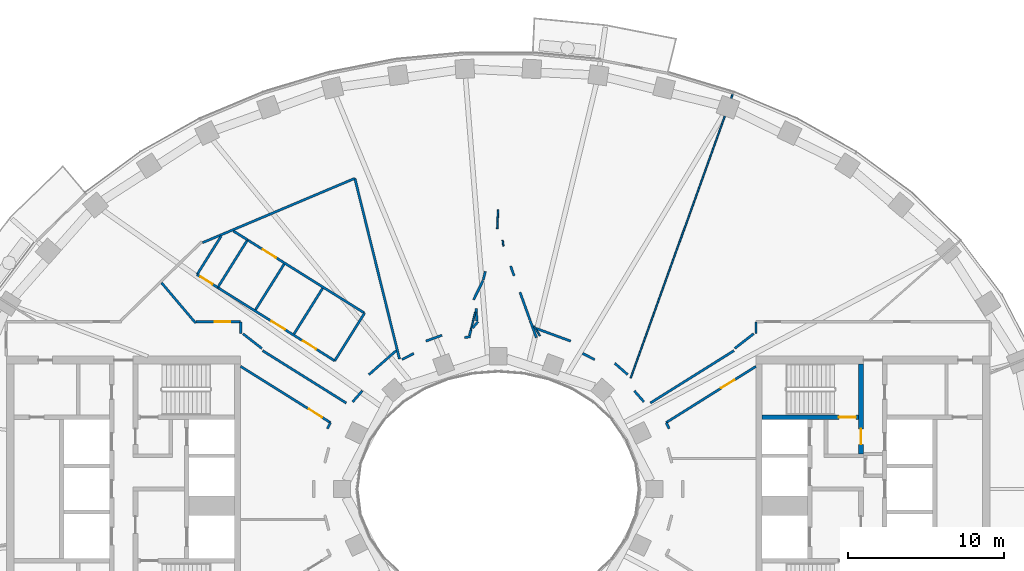
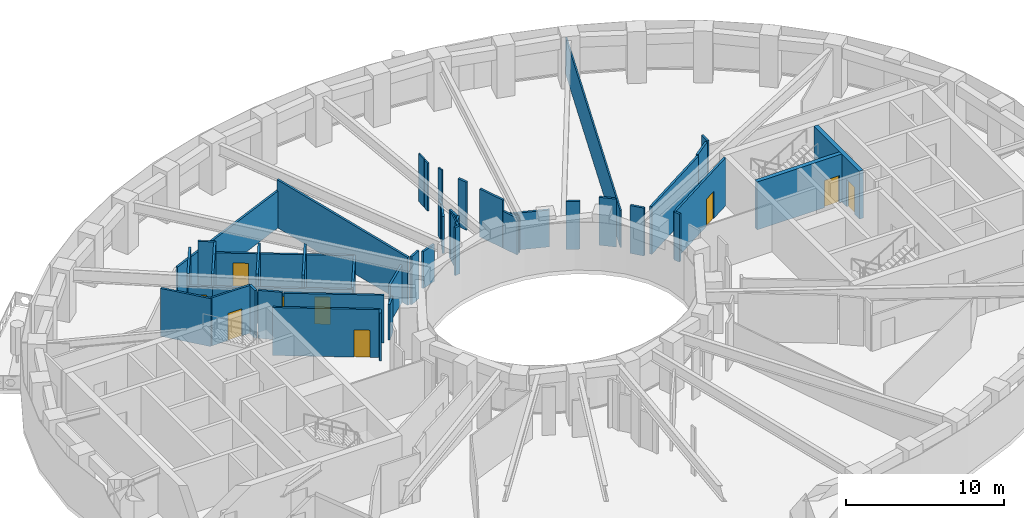
# One storey, part 6 of 16: 48 walls, 9 doors, 9 openings.
"""IFC4 building model written with IfcOpenShell, lengths in metres."""

import ifcopenshell
import ifcopenshell.guid

model = None  # the IFC model being written
_history = None  # IfcOwnerHistory: only IFC2X3 demands one
_inside = {}  # id of a spatial element -> (the spatial element, [elements in it])
_under = {}  # id of a project, library or spatial element -> (it, [spatial elements below it])
_declared = {}  # id of a project -> (the project, [libraries it declares])
_typed = {}  # id of a type object -> (the type object, [elements of that type])
_made_of = {}  # id of a material, layer set ... -> (it, [elements and type objects made of it])


def new_model(schema):
    """Start an empty IFC model of exactly this schema.

    Asked for "IFC4X3", IfcOpenShell would pick the latest addendum, in which some entities
    have other attributes; the version numbers below select the first issue.
    IFC2X3 requires an IfcOwnerHistory on every rooted entity: one is made here for all.
    """
    global model, _history
    if schema == "IFC4X3":
        model = ifcopenshell.file(schema_version=(4, 3, 0, 0))
    else:
        model = ifcopenshell.file(schema=schema)
    _inside.clear()
    _under.clear()
    _declared.clear()
    _typed.clear()
    _made_of.clear()
    _history = None
    if model.schema == "IFC2X3":
        org = make("IfcOrganization", Name="unknown")
        user = make(
            "IfcPersonAndOrganization",
            ThePerson=make("IfcPerson", FamilyName="unknown"),
            TheOrganization=org,
        )
        app = make(
            "IfcApplication",
            ApplicationDeveloper=org,
            Version="unknown",
            ApplicationFullName="unknown",
            ApplicationIdentifier="unknown",
        )
        _history = make(
            "IfcOwnerHistory",
            OwningUser=user,
            OwningApplication=app,
            ChangeAction="ADDED",
            CreationDate=0,
        )
    return model


def make(cls, **values):
    """One entity of the class cls with the attributes given. An attribute that is None is left unset."""
    return model.create_entity(
        cls, **{name: value for name, value in values.items() if value is not None}
    )


def rooted(cls, **values):
    """An entity with a GlobalId (a new one), such as an element, a storey or a relation."""
    return make(cls, GlobalId=ifcopenshell.guid.new(), OwnerHistory=_history, **values)


def si_unit(unit_type, name, prefix=None):
    """IfcSIUnit, for example si_unit("LENGTHUNIT", "METRE", prefix="MILLI")."""
    return make("IfcSIUnit", UnitType=unit_type, Prefix=prefix, Name=name)


def assignment(units):
    """IfcUnitAssignment: the units of a project."""
    return None if units is None else make("IfcUnitAssignment", Units=units)


def point(xyz):
    """IfcCartesianPoint."""
    return None if xyz is None else make("IfcCartesianPoint", Coordinates=xyz)


def direction(xyz):
    """IfcDirection."""
    return None if xyz is None else make("IfcDirection", DirectionRatios=xyz)


def frame(location, z_axis=None, x_axis=None):
    """IfcAxis2Placement3D, a coordinate frame: its origin and axes. An axis left out is left unset."""
    return make(
        "IfcAxis2Placement3D",
        Location=point(location),
        Axis=direction(z_axis),
        RefDirection=direction(x_axis),
    )


def frame_2d(location, x_axis=None):
    """IfcAxis2Placement2D, a coordinate frame in the plane: its origin and x axis."""
    return make(
        "IfcAxis2Placement2D", Location=point(location), RefDirection=direction(x_axis)
    )


def origin():
    """The frame at (0, 0, 0) with its axes left unset."""
    return frame((0.0, 0.0, 0.0))


def place(relative_to, where):
    """IfcLocalPlacement: puts the frame where relative to a parent placement (None: the world)."""
    return make(
        "IfcLocalPlacement", PlacementRelTo=relative_to, RelativePlacement=where
    )


def context(
    kind, dimensions, precision=None, world=None, true_north=None, identifier=None
):
    """IfcGeometricRepresentationContext, for example the 3D "Model" context."""
    return make(
        "IfcGeometricRepresentationContext",
        ContextIdentifier=identifier,
        ContextType=kind,
        CoordinateSpaceDimension=dimensions,
        Precision=precision,
        WorldCoordinateSystem=world,
        TrueNorth=true_north,
    )


def subcontext(parent, identifier, kind, view, scale=None):
    """IfcGeometricRepresentationSubContext, for example "Body" below "Model"."""
    return make(
        "IfcGeometricRepresentationSubContext",
        ContextIdentifier=identifier,
        ContextType=kind,
        ParentContext=parent,
        TargetScale=scale,
        TargetView=view,
    )


def project(units=None, contexts=None):
    """IfcProject with its units and contexts."""
    return rooted(
        "IfcProject",
        Name="project",
        RepresentationContexts=contexts,
        UnitsInContext=assignment(units),
    )


def spatial(cls, under=None, at=None, **own):
    """A site, building, storey or space (cls), placed at a placement, below another one or the project."""
    s = rooted(cls, ObjectPlacement=at, **own)
    if under is not None:
        _under.setdefault(under.id(), (under, []))[1].append(s)
    return s


def profile(cls, at=None, kind="AREA", **sizes):
    """A parametric profile (cls). Its sizes go by their IFC names, for example OverallWidth=200.0."""
    return make(cls, ProfileType=kind, Position=at, **sizes)


def rectangle(**sizes):
    """IfcRectangleProfileDef."""
    return profile("IfcRectangleProfileDef", **sizes)


def extrude(swept, where, along, depth):
    """IfcExtrudedAreaSolid: the profile swept, set in the frame where, extruded along a direction by depth."""
    return make(
        "IfcExtrudedAreaSolid",
        SweptArea=swept,
        Position=where,
        ExtrudedDirection=direction(along),
        Depth=depth,
    )


def shape(context_of_items, identifier, shape_type, items):
    """IfcShapeRepresentation: the items that make up one representation, for example the "Body"."""
    return make(
        "IfcShapeRepresentation",
        ContextOfItems=context_of_items,
        RepresentationIdentifier=identifier,
        RepresentationType=shape_type,
        Items=items,
    )


def material(Name=None, Category=None):
    """IfcMaterial."""
    return make("IfcMaterial", Name=Name, Category=Category)


def layer(
    of_material, thickness, ventilated=None, Name=None, Category=None, Priority=None
):
    """IfcMaterialLayer: one layer of a wall or slab, of a material (None: an air gap)."""
    return make(
        "IfcMaterialLayer",
        Material=of_material,
        LayerThickness=thickness,
        IsVentilated=ventilated,
        Name=Name,
        Category=Category,
        Priority=Priority,
    )


def layer_set(layers, Name=None):
    """IfcMaterialLayerSet."""
    return make("IfcMaterialLayerSet", MaterialLayers=layers, LayerSetName=Name)


def made_of(thing, what):
    """Note that an element or type object is made of a material, layer set ...; save() writes the relation."""
    if what is not None:
        _made_of.setdefault(what.id(), (what, []))[1].append(thing)
    return thing


def type_object(cls, material=None, **own):
    """A type object (cls), such as IfcWallType, which elements share."""
    return made_of(rooted(cls, **own), material)


def element(
    cls,
    number,
    at=None,
    inside=None,
    cuts=None,
    type_object=None,
    material=None,
    context=None,
    identifier="Body",
    shape_type=None,
    held_by="IfcProductDefinitionShape",
    body=None,
    shapes=None,
    **own,
):
    """One element of the class cls, such as IfcWall. Its Tag is "e" and its number.

    at: its placement. inside: the storey or other place that contains it. cuts: it is an
    opening in that element (IfcRelVoidsElement). A single representation is given by context,
    identifier, shape_type and body (its items); several are given by shapes. held_by: the class
    of the entity that holds the representations. save() writes the other relations.
    """
    e = rooted(cls, Tag="e%d" % number, ObjectPlacement=at, **own)
    if body is not None:
        shapes = [shape(context, identifier, shape_type, body)]
    if shapes is not None:
        e.Representation = make(held_by, Representations=shapes)
    if inside is not None:
        _inside.setdefault(inside.id(), (inside, []))[1].append(e)
    if cuts is not None:
        rooted(
            "IfcRelVoidsElement", RelatingBuildingElement=cuts, RelatedOpeningElement=e
        )
    if type_object is not None:
        _typed.setdefault(type_object.id(), (type_object, []))[1].append(e)
    return made_of(e, material)


def fill(opening, filler):
    """IfcRelFillsElement: the door or window that sits in an opening."""
    return rooted(
        "IfcRelFillsElement",
        RelatingOpeningElement=opening,
        RelatedBuildingElement=filler,
    )


def aggregate(whole, parts):
    """IfcRelAggregates: a whole, such as a stair, and the parts it consists of."""
    return rooted("IfcRelAggregates", RelatingObject=whole, RelatedObjects=parts)


def save(model, path):
    """Write the relations noted so far, then the file.

    IfcRelAggregates (storeys below a building ...), IfcRelContainedInSpatialStructure (elements
    in a storey), IfcRelDefinesByType, IfcRelAssociatesMaterial and IfcRelDeclares: one each for
    every whole, place, type object, material and project.
    """
    for whole, parts in _under.values():
        aggregate(whole, parts)
    for where, things in _inside.values():
        rooted(
            "IfcRelContainedInSpatialStructure",
            RelatedElements=things,
            RelatingStructure=where,
        )
    for kind, things in _typed.values():
        rooted("IfcRelDefinesByType", RelatedObjects=things, RelatingType=kind)
    for what, things in _made_of.values():
        rooted("IfcRelAssociatesMaterial", RelatedObjects=things, RelatingMaterial=what)
    for by, libraries in _declared.values():
        rooted("IfcRelDeclares", RelatingContext=by, RelatedDefinitions=libraries)
    model.write(path)


model = new_model("IFC4")

# Units and contexts
model_context = context("Model", 3, precision=1e-05, world=origin(), true_north=direction((0.0, 1.0)))
body_context = subcontext(model_context, "Body", "Model", "MODEL_VIEW")
ifc_project = project(units=[si_unit("LENGTHUNIT", "METRE"), si_unit("AREAUNIT", "SQUARE_METRE"), si_unit("VOLUMEUNIT", "CUBIC_METRE"), si_unit("PLANEANGLEUNIT", "RADIAN"), si_unit("MASSUNIT", "GRAM", prefix="KILO")], contexts=[model_context])

# Site, building, storey
site_placement = place(None, origin())
site = spatial("IfcSite", under=ifc_project, at=site_placement, CompositionType="ELEMENT")
building_placement = place(site_placement, origin())
building = spatial("IfcBuilding", under=site, at=building_placement, Name="Noorbagh Ring Tower", CompositionType="ELEMENT")
storey_placement = place(building_placement, frame((0.0, 0.0, 154.0)))
storey = spatial("IfcBuildingStorey", under=building, at=storey_placement, Name="L35", CompositionType="ELEMENT", Elevation=154.0)

# Wall, opening, door
ifc_material_1 = material(Name="Gypsum board on steel studs", Category="steel")
ifc_layer_1 = layer(ifc_material_1, 0.14990234375)
ifc_layer_set_1 = layer_set([ifc_layer_1], Name="Gypsum board on steel studs")
wall_type_1 = type_object("IfcWallType", Name="COMPARTMENT PARTITION 150 EI 60", PredefinedType="PARTITIONING", material=ifc_layer_set_1)
wall_1_placement = place(storey_placement, frame((-19.2890625, 13.72705078125, 0.0), z_axis=(0.0, 0.0, 1.0), x_axis=(0.847461540706, -0.530856795213, 0.0)))
wall_1 = element("IfcWall", 1, at=wall_1_placement, inside=storey, type_object=wall_type_1, Name="L35/wall/P15", PredefinedType="PARTITIONING", context=body_context, shape_type="SweptSolid", body=[
    extrude(rectangle(XDim=1.56005859375, YDim=0.14990234375, at=frame_2d((0.780029296875, 0.0))), origin(), (0.0, 0.0, 1.0), 2.75),
])
opening_1_placement = place(wall_1_placement, frame((0.260009765625, 0.0, 0.0)))
opening_1 = element("IfcOpeningElement", 2, at=opening_1_placement, cuts=wall_1, Name="Opening D4", PredefinedType="OPENING", context=body_context, shape_type="SweptSolid", body=[
    extrude(rectangle(XDim=0.89990234375, YDim=2.10009765625, at=frame_2d((0.449951171875, 1.050048828125))), frame((0.0, 0.0849609375, 0.0), z_axis=(0.0, -1.0, 0.0), x_axis=(1.0, 0.0, 0.0)), (0.0, 0.0, 1.0), 0.169921875),
])
ifc_material_2 = material(Name="Timber, painted", Category="wood")
door_type_1 = type_object("IfcDoorType", Name="DOOR 900 X 2100 FD60", OperationType="SINGLE_SWING_LEFT", PredefinedType="DOOR", material=ifc_material_2)
door_1_placement = place(opening_1_placement, origin())
door_1 = element("IfcDoor", 3, at=door_1_placement, inside=storey, type_object=door_type_1, Name="L35-D05", OperationType="SINGLE_SWING_LEFT", OverallHeight=2.10009765625, OverallWidth=0.89990234375, PredefinedType="DOOR", context=body_context, shape_type="SweptSolid", body=[
    extrude(rectangle(XDim=0.89990234375, YDim=2.10009765625, at=frame_2d((0.449951171875, 1.050048828125))), frame((0.0, 0.02490234375, 0.0), z_axis=(0.0, -1.0, 0.0), x_axis=(1.0, 0.0, 0.0)), (0.0, 0.0, 1.0), 0.050048828125),
])
fill(opening_1, door_1)

# Walls
wall_2_placement = place(storey_placement, frame((-19.2890625, 13.72705078125, 0.0), z_axis=(0.0, 0.0, 1.0), x_axis=(0.530805348015, 0.847493765475, 0.0)))
element("IfcWall", 4, at=wall_2_placement, inside=storey, type_object=wall_type_1, Name="L35/wall/P16", PredefinedType="PARTITIONING", context=body_context, shape_type="SweptSolid", body=[
    extrude(rectangle(XDim=2.910888671875, YDim=0.14990234375, at=frame_2d((1.45556640625, 0.0))), origin(), (0.0, 0.0, 1.0), 3.699951171875),
])
wall_3_placement = place(storey_placement, frame((-17.967041015625, 12.89892578125, 0.0), z_axis=(0.0, 0.0, 1.0), x_axis=(0.530723957916, 0.847544736574, 0.0)))
element("IfcWall", 5, at=wall_3_placement, inside=storey, type_object=wall_type_1, Name="L35/wall/P19", PredefinedType="PARTITIONING", context=body_context, shape_type="SweptSolid", body=[
    extrude(rectangle(XDim=3.60107421875, YDim=0.14990234375, at=frame_2d((1.800537109375, 0.0))), origin(), (0.0, 0.0, 1.0), 3.699951171875),
])
wall_4_placement = place(storey_placement, frame((-16.965087890625, 16.51904296875, 0.0), z_axis=(0.0, 0.0, 1.0), x_axis=(0.848049474304, -0.529917058729, 0.0)))
element("IfcWall", 6, at=wall_4_placement, inside=storey, type_object=wall_type_1, Name="L35/wall/P21", PredefinedType="PARTITIONING", context=body_context, shape_type="SweptSolid", body=[
    extrude(rectangle(XDim=1.072021484375, YDim=0.14990234375, at=frame_2d((0.5361328125, 0.0))), origin(), (0.0, 0.0, 1.0), 3.699951171875),
])

# Wall, opening, door
ifc_material_3 = material(Name="Concrete C60/75", Category="concrete")
ifc_layer_2 = layer(ifc_material_3, 0.300048828125)
ifc_layer_set_2 = layer_set([ifc_layer_2], Name="Concrete C60/75")
wall_type_2 = type_object("IfcWallType", Name="CORE-WALL-300-C60-75-EI240", PredefinedType="SHEAR", material=ifc_layer_set_2)
wall_5_placement = place(storey_placement, frame((23.22998046875, 2.25, 0.0), z_axis=(0.0, 0.0, 1.0), x_axis=(0.0, 1.0, 0.0)))
wall_5 = element("IfcWall", 7, at=wall_5_placement, inside=storey, type_object=wall_type_2, Name="Core wall E", PredefinedType="SHEAR", context=body_context, shape_type="SweptSolid", body=[
    extrude(rectangle(XDim=5.75, YDim=0.300048828125, at=frame_2d((2.875, 0.0))), origin(), (0.0, 0.0, 1.0), 3.699951171875),
])
opening_2_placement = place(wall_5_placement, frame((0.60009765625, 0.0, 0.0)))
opening_2 = element("IfcOpeningElement", 8, at=opening_2_placement, cuts=wall_5, Name="Opening L35-CE10", PredefinedType="OPENING", context=body_context, shape_type="SweptSolid", body=[
    extrude(rectangle(XDim=1.0, YDim=2.10009765625, at=frame_2d((0.5, 1.050048828125))), frame((0.0, 0.16015625, 0.0), z_axis=(0.0, -1.0, 0.0), x_axis=(1.0, 0.0, 0.0)), (0.0, 0.0, 1.0), 0.320068359375),
])
ifc_material_4 = material(Name="Steel door leaf", Category="steel")
door_type_2 = type_object("IfcDoorType", Name="CORE-DOOR-DVEST", OperationType="SINGLE_SWING_LEFT", PredefinedType="DOOR", material=ifc_material_4)
door_2_placement = place(opening_2_placement, origin())
door_2 = element("IfcDoor", 9, at=door_2_placement, inside=storey, type_object=door_type_2, Name="Stair vestibule door L35-CE10", OperationType="SINGLE_SWING_RIGHT", OverallHeight=2.10009765625, OverallWidth=1.0, PredefinedType="DOOR", context=body_context, shape_type="SweptSolid", body=[
    extrude(rectangle(XDim=1.0, YDim=2.10009765625, at=frame_2d((0.5, 1.050048828125))), frame((0.0, 0.02490234375, 0.0), z_axis=(0.0, -1.0, 0.0), x_axis=(1.0, 0.0, 0.0)), (0.0, 0.0, 1.0), 0.050048828125),
])
fill(opening_2, door_2)

wall_6_placement = place(storey_placement, frame((16.89990234375, 4.60009765625, 0.0), z_axis=(0.0, 0.0, 1.0), x_axis=(1.0, 0.0, 0.0)))
wall_6 = element("IfcWall", 10, at=wall_6_placement, inside=storey, type_object=wall_type_2, Name="Core wall E", PredefinedType="SHEAR", context=body_context, shape_type="SweptSolid", body=[
    extrude(rectangle(XDim=6.18017578125, YDim=0.300048828125, at=frame_2d((3.090087890625, 0.0))), origin(), (0.0, 0.0, 1.0), 3.699951171875),
])
opening_3_placement = place(wall_6_placement, frame((4.89990234375, 0.0, 0.0)))
opening_3 = element("IfcOpeningElement", 11, at=opening_3_placement, cuts=wall_6, Name="Opening L35-CE07", PredefinedType="OPENING", context=body_context, shape_type="SweptSolid", body=[
    extrude(rectangle(XDim=1.10009765625, YDim=2.10009765625, at=frame_2d((0.550048828125, 1.050048828125))), frame((0.0, 0.16015625, 0.0), z_axis=(0.0, -1.0, 0.0), x_axis=(1.0, 0.0, 0.0)), (0.0, 0.0, 1.0), 0.320068359375),
])
ifc_material_5 = material(Name="Steel door leaf", Category="steel")
door_type_3 = type_object("IfcDoorType", Name="CORE-DOOR-DSTAIR", OperationType="SINGLE_SWING_LEFT", PredefinedType="DOOR", material=ifc_material_5)
door_3_placement = place(opening_3_placement, origin())
door_3 = element("IfcDoor", 12, at=door_3_placement, inside=storey, type_object=door_type_3, Name="Stair door ST3 L35-CE07", OperationType="SINGLE_SWING_LEFT", OverallHeight=2.10009765625, OverallWidth=1.10009765625, PredefinedType="DOOR", context=body_context, shape_type="SweptSolid", body=[
    extrude(rectangle(XDim=1.10009765625, YDim=2.10009765625, at=frame_2d((0.550048828125, 1.050048828125))), frame((0.0, 0.02490234375, 0.0), z_axis=(0.0, -1.0, 0.0), x_axis=(1.0, 0.0, 0.0)), (0.0, 0.0, 1.0), 0.050048828125),
])
fill(opening_3, door_3)

# Wall
ifc_material_6 = material(Name="Gypsum board on steel studs", Category="steel")
ifc_layer_3 = layer(ifc_material_6, 0.14990234375)
ifc_layer_set_3 = layer_set([ifc_layer_3], Name="Gypsum board on steel studs")
wall_type_3 = type_object("IfcWallType", Name="CORRIDOR PARTITION 150 EI 30", PredefinedType="PARTITIONING", material=ifc_layer_set_3)
wall_7_placement = place(storey_placement, frame((-21.568115234375, 13.20703125, 0.0), z_axis=(0.0, 0.0, 1.0), x_axis=(0.646414818584, -0.762986161287, 0.0)))
element("IfcWall", 13, at=wall_7_placement, inside=storey, type_object=wall_type_3, Name="L35/wall/P12", PredefinedType="PARTITIONING", context=body_context, shape_type="SweptSolid", body=[
    extrude(rectangle(XDim=3.38037109375, YDim=0.14990234375, at=frame_2d((1.690185546875, 0.0))), origin(), (0.0, 0.0, 1.0), 3.699951171875),
])

# Wall, opening, door
wall_8_placement = place(storey_placement, frame((-19.346923828125, 10.699951171875, 0.0), z_axis=(0.0, 0.0, 1.0), x_axis=(1.0, 0.0, 0.0)))
wall_8 = element("IfcWall", 14, at=wall_8_placement, inside=storey, type_object=wall_type_3, Name="L35/wall/P14", PredefinedType="PARTITIONING", context=body_context, shape_type="SweptSolid", body=[
    extrude(rectangle(XDim=2.846923828125, YDim=0.14990234375, at=frame_2d((1.42333984375, 0.0))), origin(), (0.0, 0.0, 1.0), 3.699951171875),
])
opening_4_placement = place(wall_8_placement, frame((1.197021484375, 0.0, 0.0)))
opening_4 = element("IfcOpeningElement", 15, at=opening_4_placement, cuts=wall_8, Name="Opening D1", PredefinedType="OPENING", context=body_context, shape_type="SweptSolid", body=[
    extrude(rectangle(XDim=1.0, YDim=2.10009765625, at=frame_2d((0.5, 1.050048828125))), frame((0.0, 0.0849609375, 0.0), z_axis=(0.0, -1.0, 0.0), x_axis=(1.0, 0.0, 0.0)), (0.0, 0.0, 1.0), 0.169921875),
])
ifc_material_7 = material(Name="Timber, painted", Category="wood")
door_type_4 = type_object("IfcDoorType", Name="DOOR 1000 X 2100 FD30", OperationType="SINGLE_SWING_LEFT", PredefinedType="DOOR", material=ifc_material_7)
door_4_placement = place(opening_4_placement, origin())
door_4 = element("IfcDoor", 16, at=door_4_placement, inside=storey, type_object=door_type_4, Name="L35-D01", OperationType="SINGLE_SWING_LEFT", OverallHeight=2.10009765625, OverallWidth=1.0, PredefinedType="DOOR", context=body_context, shape_type="SweptSolid", body=[
    extrude(rectangle(XDim=1.0, YDim=2.10009765625, at=frame_2d((0.5, 1.050048828125))), frame((0.0, 0.02490234375, 0.0), z_axis=(0.0, -1.0, 0.0), x_axis=(1.0, 0.0, 0.0)), (0.0, 0.0, 1.0), 0.050048828125),
])
fill(opening_4, door_4)

# Wall
wall_9_placement = place(storey_placement, frame((-18.93994140625, 15.77099609375, 0.0), z_axis=(0.0, 0.0, 1.0), x_axis=(0.921243869672, 0.3889855172, 0.0)))
element("IfcWall", 17, at=wall_9_placement, inside=storey, type_object=wall_type_3, Name="L35/wall/P18", PredefinedType="PARTITIONING", context=body_context, shape_type="SweptSolid", body=[
    extrude(rectangle(XDim=10.5888671875, YDim=0.14990234375, at=frame_2d((5.29443359375, 0.0))), origin(), (0.0, 0.0, 1.0), 2.85009765625),
])

# Wall, openings, doors
wall_10_placement = place(storey_placement, frame((-17.967041015625, 12.89892578125, 0.0), z_axis=(0.0, 0.0, 1.0), x_axis=(0.847599321369, -0.530636778234, 0.0)))
wall_10 = element("IfcWall", 18, at=wall_10_placement, inside=storey, type_object=wall_type_3, Name="L35/wall/P20", PredefinedType="PARTITIONING", context=body_context, shape_type="SweptSolid", body=[
    extrude(rectangle(XDim=8.840087890625, YDim=0.14990234375, at=frame_2d((4.419921875, 0.0))), origin(), (0.0, 0.0, 1.0), 2.75),
])
opening_5_placement = place(wall_10_placement, frame((6.440185546875, 0.0, 0.0)))
opening_5 = element("IfcOpeningElement", 19, at=opening_5_placement, cuts=wall_10, Name="Opening D3", PredefinedType="OPENING", context=body_context, shape_type="SweptSolid", body=[
    extrude(rectangle(XDim=1.0, YDim=2.10009765625, at=frame_2d((0.5, 1.050048828125))), frame((0.0, 0.0849609375, 0.0), z_axis=(0.0, -1.0, 0.0), x_axis=(1.0, 0.0, 0.0)), (0.0, 0.0, 1.0), 0.169921875),
])
opening_6_placement = place(wall_10_placement, frame((4.070556640625, 0.0, 0.0)))
opening_6 = element("IfcOpeningElement", 20, at=opening_6_placement, cuts=wall_10, Name="Opening D3", PredefinedType="OPENING", context=body_context, shape_type="SweptSolid", body=[
    extrude(rectangle(XDim=1.0, YDim=2.10009765625, at=frame_2d((0.5, 1.050048828125))), frame((0.0, 0.0849609375, 0.0), z_axis=(0.0, -1.0, 0.0), x_axis=(1.0, 0.0, 0.0)), (0.0, 0.0, 1.0), 0.169921875),
])
ifc_material_8 = material(Name="Timber, painted", Category="wood")
door_type_5 = type_object("IfcDoorType", Name="DOOR 1000 X 2100 WC", OperationType="SINGLE_SWING_LEFT", PredefinedType="DOOR", material=ifc_material_8)
door_5_placement = place(opening_5_placement, origin())
door_5 = element("IfcDoor", 21, at=door_5_placement, inside=storey, type_object=door_type_5, Name="L35-D02", OperationType="SINGLE_SWING_RIGHT", OverallHeight=2.10009765625, OverallWidth=1.0, PredefinedType="DOOR", context=body_context, shape_type="SweptSolid", body=[
    extrude(rectangle(XDim=1.0, YDim=2.10009765625, at=frame_2d((0.5, 1.050048828125))), frame((0.0, 0.02490234375, 0.0), z_axis=(0.0, -1.0, 0.0), x_axis=(1.0, 0.0, 0.0)), (0.0, 0.0, 1.0), 0.050048828125),
])
fill(opening_5, door_5)
door_6_placement = place(opening_6_placement, origin())
door_6 = element("IfcDoor", 22, at=door_6_placement, inside=storey, type_object=door_type_5, Name="L35-D03", OperationType="SINGLE_SWING_LEFT", OverallHeight=2.10009765625, OverallWidth=1.0, PredefinedType="DOOR", context=body_context, shape_type="SweptSolid", body=[
    extrude(rectangle(XDim=1.0, YDim=2.10009765625, at=frame_2d((0.5, 1.050048828125))), frame((0.0, 0.02490234375, 0.0), z_axis=(0.0, -1.0, 0.0), x_axis=(1.0, 0.0, 0.0)), (0.0, 0.0, 1.0), 0.050048828125),
])
fill(opening_6, door_6)

# Wall
wall_11_placement = place(storey_placement, frame((-16.5, 9.964111328125, 0.0), z_axis=(0.0, 0.0, 1.0), x_axis=(0.0, 1.0, 0.0)))
element("IfcWall", 23, at=wall_11_placement, inside=storey, type_object=wall_type_3, Name="L35/wall/P24", PredefinedType="PARTITIONING", context=body_context, shape_type="SweptSolid", body=[
    extrude(rectangle(XDim=0.73583984375, YDim=0.14990234375, at=frame_2d((0.367919921875, 0.0))), origin(), (0.0, 0.0, 1.0), 3.699951171875),
])

# Wall, opening, door
wall_12_placement = place(storey_placement, frame((-16.056884765625, 15.949951171875, 0.0), z_axis=(0.0, 0.0, 1.0), x_axis=(0.847655082048, -0.530547699908, 0.0)))
wall_12 = element("IfcWall", 24, at=wall_12_placement, inside=storey, type_object=wall_type_3, Name="L35/wall/P25", PredefinedType="PARTITIONING", context=body_context, shape_type="SweptSolid", body=[
    extrude(rectangle(XDim=8.836181640625, YDim=0.14990234375, at=frame_2d((4.41796875, 0.0))), origin(), (0.0, 0.0, 1.0), 2.85009765625),
])
opening_7_placement = place(wall_12_placement, frame((1.150390625, 0.0, 0.0)))
opening_7 = element("IfcOpeningElement", 25, at=opening_7_placement, cuts=wall_12, Name="Opening D3", PredefinedType="OPENING", context=body_context, shape_type="SweptSolid", body=[
    extrude(rectangle(XDim=1.0, YDim=2.10009765625, at=frame_2d((0.5, 1.050048828125))), frame((0.0, 0.0849609375, 0.0), z_axis=(0.0, -1.0, 0.0), x_axis=(1.0, 0.0, 0.0)), (0.0, 0.0, 1.0), 0.169921875),
])
door_7_placement = place(opening_7_placement, origin())
door_7 = element("IfcDoor", 26, at=door_7_placement, inside=storey, type_object=door_type_5, Name="L35-D04", OperationType="SINGLE_SWING_RIGHT", OverallHeight=2.10009765625, OverallWidth=1.0, PredefinedType="DOOR", context=body_context, shape_type="SweptSolid", body=[
    extrude(rectangle(XDim=1.0, YDim=2.10009765625, at=frame_2d((0.5, 1.050048828125))), frame((0.0, 0.02490234375, 0.0), z_axis=(0.0, -1.0, 0.0), x_axis=(1.0, 0.0, 0.0)), (0.0, 0.0, 1.0), 0.050048828125),
])
fill(opening_7, door_7)

wall_13_placement = place(storey_placement, frame((-16.5, 7.85107421875, 0.0), z_axis=(0.0, 0.0, 1.0), x_axis=(0.847690706888, -0.530490777917, 0.0)))
wall_13 = element("IfcWall", 27, at=wall_13_placement, inside=storey, type_object=wall_type_3, Name="L35/wall/P28", PredefinedType="PARTITIONING", context=body_context, shape_type="SweptSolid", body=[
    extrude(rectangle(XDim=6.78076171875, YDim=0.14990234375, at=frame_2d((3.390380859375, 0.0))), origin(), (0.0, 0.0, 1.0), 3.699951171875),
])
opening_8_placement = place(wall_13_placement, frame((5.1513671875, 0.0, 0.0)))
opening_8 = element("IfcOpeningElement", 28, at=opening_8_placement, cuts=wall_13, Name="Opening D1", PredefinedType="OPENING", context=body_context, shape_type="SweptSolid", body=[
    extrude(rectangle(XDim=1.0, YDim=2.10009765625, at=frame_2d((0.5, 1.050048828125))), frame((0.0, 0.0849609375, 0.0), z_axis=(0.0, -1.0, 0.0), x_axis=(1.0, 0.0, 0.0)), (0.0, 0.0, 1.0), 0.169921875),
])
door_8_placement = place(opening_8_placement, origin())
door_8 = element("IfcDoor", 29, at=door_8_placement, inside=storey, type_object=door_type_4, Name="L35-D16", OperationType="SINGLE_SWING_RIGHT", OverallHeight=2.10009765625, OverallWidth=1.0, PredefinedType="DOOR", context=body_context, shape_type="SweptSolid", body=[
    extrude(rectangle(XDim=1.0, YDim=2.10009765625, at=frame_2d((0.5, 1.050048828125))), frame((0.0, 0.02490234375, 0.0), z_axis=(0.0, -1.0, 0.0), x_axis=(1.0, 0.0, 0.0)), (0.0, 0.0, 1.0), 0.050048828125),
])
fill(opening_8, door_8)

# Walls
wall_14_placement = place(storey_placement, frame((-15.547119140625, 11.472900390625, 0.0), z_axis=(0.0, 0.0, 1.0), x_axis=(0.530730236176, 0.847540805158, 0.0)))
element("IfcWall", 30, at=wall_14_placement, inside=storey, type_object=wall_type_3, Name="L35/wall/P29", PredefinedType="PARTITIONING", context=body_context, shape_type="SweptSolid", body=[
    extrude(rectangle(XDim=3.449951171875, YDim=0.14990234375, at=frame_2d((1.72509765625, 0.0))), origin(), (0.0, 0.0, 1.0), 3.699951171875),
])
wall_15_placement = place(storey_placement, frame((-15.089111328125, 8.85595703125, 0.0), z_axis=(0.0, 0.0, 1.0), x_axis=(0.847611500167, -0.53061732424, 0.0)))
element("IfcWall", 31, at=wall_15_placement, inside=storey, type_object=wall_type_3, Name="L35/wall/P31", PredefinedType="PARTITIONING", context=body_context, shape_type="SweptSolid", body=[
    extrude(rectangle(XDim=6.3154296875, YDim=0.14990234375, at=frame_2d((3.15771484375, 0.0))), origin(), (0.0, 0.0, 1.0), 3.699951171875),
])
wall_16_placement = place(storey_placement, frame((-13.077880859375, 9.927978515625, 0.0), z_axis=(0.0, 0.0, 1.0), x_axis=(0.530603340991, 0.847620253727, 0.0)))
element("IfcWall", 32, at=wall_16_placement, inside=storey, type_object=wall_type_3, Name="L35/wall/P32", PredefinedType="PARTITIONING", context=body_context, shape_type="SweptSolid", body=[
    extrude(rectangle(XDim=3.448486328125, YDim=0.14990234375, at=frame_2d((1.72412109375, 0.0))), origin(), (0.0, 0.0, 1.0), 3.699951171875),
])
wall_17_placement = place(storey_placement, frame((-10.93798828125, 3.863037109375, 0.0), z_axis=(0.0, 0.0, 1.0), x_axis=(0.429758433873, 0.90294390109, 0.0)))
element("IfcWall", 33, at=wall_17_placement, inside=storey, type_object=wall_type_3, Name="L35/wall/P38", PredefinedType="PARTITIONING", context=body_context, shape_type="SweptSolid", body=[
    extrude(rectangle(XDim=0.432861328125, YDim=0.14990234375, at=frame_2d((0.21630859375, 0.0))), origin(), (0.0, 0.0, 1.0), 3.699951171875),
])
wall_18_placement = place(storey_placement, frame((-10.47412109375, 8.2080078125, 0.0), z_axis=(0.0, 0.0, 1.0), x_axis=(0.530627347961, 0.847605225088, 0.0)))
element("IfcWall", 34, at=wall_18_placement, inside=storey, type_object=wall_type_3, Name="L35/wall/P39", PredefinedType="PARTITIONING", context=body_context, shape_type="SweptSolid", body=[
    extrude(rectangle(XDim=3.59619140625, YDim=0.14990234375, at=frame_2d((1.798095703125, 0.0))), origin(), (0.0, 0.0, 1.0), 2.85009765625),
])
wall_19_placement = place(storey_placement, frame((-9.324951171875, 5.576904296875, 0.0), z_axis=(0.0, 0.0, 1.0), x_axis=(0.656365478363, 0.754443078578, 0.0)))
element("IfcWall", 35, at=wall_19_placement, inside=storey, type_object=wall_type_3, Name="L35/wall/P41", PredefinedType="PARTITIONING", context=body_context, shape_type="SweptSolid", body=[
    extrude(rectangle(XDim=0.9384765625, YDim=0.14990234375, at=frame_2d((0.46923828125, 0.0))), origin(), (0.0, 0.0, 1.0), 2.75),
])
wall_20_placement = place(storey_placement, frame((-9.18505859375, 19.889892578125, 0.0), z_axis=(0.0, 0.0, 1.0), x_axis=(0.239863913553, -0.970806521906, 0.0)))
element("IfcWall", 36, at=wall_20_placement, inside=storey, type_object=wall_type_3, Name="L35/wall/P42", PredefinedType="PARTITIONING", context=body_context, shape_type="SweptSolid", body=[
    extrude(rectangle(XDim=11.915771484375, YDim=0.14990234375, at=frame_2d((5.9580078125, 0.0))), origin(), (0.0, 0.0, 1.0), 3.699951171875),
])
wall_21_placement = place(storey_placement, frame((-8.283935546875, 7.322021484375, 0.0), z_axis=(0.0, 0.0, 1.0), x_axis=(0.750605726473, 0.660750363894, 0.0)))
element("IfcWall", 37, at=wall_21_placement, inside=storey, type_object=wall_type_3, Name="L35/wall/P44", PredefinedType="PARTITIONING", context=body_context, shape_type="SweptSolid", body=[
    extrude(rectangle(XDim=2.336669921875, YDim=0.14990234375, at=frame_2d((1.16845703125, 0.0))), origin(), (0.0, 0.0, 1.0), 2.85009765625),
])
wall_22_placement = place(storey_placement, frame((-6.16796875, 8.287109375, 0.0), z_axis=(0.0, 0.0, 1.0), x_axis=(0.889398654128, 0.457132403178, 0.0)))
element("IfcWall", 38, at=wall_22_placement, inside=storey, type_object=wall_type_3, Name="L35/wall/P46", PredefinedType="PARTITIONING", context=body_context, shape_type="SweptSolid", body=[
    extrude(rectangle(XDim=0.844482421875, YDim=0.14990234375, at=frame_2d((0.42236328125, 0.0))), origin(), (0.0, 0.0, 1.0), 3.699951171875),
])
wall_23_placement = place(storey_placement, frame((-4.635986328125, 9.468017578125, 0.0), z_axis=(0.0, 0.0, 1.0), x_axis=(0.939117611585, 0.343595855054, 0.0)))
element("IfcWall", 39, at=wall_23_placement, inside=storey, type_object=wall_type_3, Name="L35/wall/P48", PredefinedType="PARTITIONING", context=body_context, shape_type="SweptSolid", body=[
    extrude(rectangle(XDim=1.099853515625, YDim=0.14990234375, at=frame_2d((0.5498046875, 0.0))), origin(), (0.0, 0.0, 1.0), 2.85009765625),
])
wall_24_placement = place(storey_placement, frame((-2.1640625, 9.696044921875, 0.0), z_axis=(0.0, 0.0, 1.0), x_axis=(0.988931681562, 0.148371591632, 0.0)))
element("IfcWall", 40, at=wall_24_placement, inside=storey, type_object=wall_type_3, Name="L35/wall/P50", PredefinedType="PARTITIONING", context=body_context, shape_type="SweptSolid", body=[
    extrude(rectangle(XDim=0.38330078125, YDim=0.14990234375, at=frame_2d((0.191650390625, 0.0))), origin(), (0.0, 0.0, 1.0), 3.699951171875),
])
wall_25_placement = place(storey_placement, frame((-1.845947265625, 9.820068359375, 0.0), z_axis=(0.0, 0.0, 1.0), x_axis=(0.239176745056, 0.9709760474, 0.0)))
element("IfcWall", 41, at=wall_25_placement, inside=storey, type_object=wall_type_3, Name="L35/wall/P52", PredefinedType="PARTITIONING", context=body_context, shape_type="SweptSolid", body=[
    extrude(rectangle(XDim=0.359375, YDim=0.14990234375, at=frame_2d((0.1796875, 0.0))), origin(), (0.0, 0.0, 1.0), 3.699951171875),
])
wall_26_placement = place(storey_placement, frame((-1.64697265625, 10.304931640625, 0.0), z_axis=(0.0, 0.0, 1.0), x_axis=(0.645233531438, 0.763985399015, 0.0)))
element("IfcWall", 42, at=wall_26_placement, inside=storey, type_object=wall_type_3, Name="L35/wall/P55", PredefinedType="PARTITIONING", context=body_context, shape_type="SweptSolid", body=[
    extrude(rectangle(XDim=0.540771484375, YDim=0.14990234375, at=frame_2d((0.2705078125, 0.0))), origin(), (0.0, 0.0, 1.0), 3.699951171875),
])
wall_27_placement = place(storey_placement, frame((-1.583984375, 12.113037109375, 0.0), z_axis=(0.0, 0.0, 1.0), x_axis=(0.440478798621, 0.897763013253, 0.0)))
element("IfcWall", 43, at=wall_27_placement, inside=storey, type_object=wall_type_3, Name="L35/wall/P56", PredefinedType="PARTITIONING", context=body_context, shape_type="SweptSolid", body=[
    extrude(rectangle(XDim=1.380126953125, YDim=0.14990234375, at=frame_2d((0.68994140625, 0.0))), origin(), (0.0, 0.0, 1.0), 2.85009765625),
])
wall_28_placement = place(storey_placement, frame((-1.4130859375, 11.56396484375, 0.0), z_axis=(0.0, 0.0, 1.0), x_axis=(0.047579277873, -0.998867464841, 0.0)))
element("IfcWall", 44, at=wall_28_placement, inside=storey, type_object=wall_type_3, Name="L35/wall/P59", PredefinedType="PARTITIONING", context=body_context, shape_type="SweptSolid", body=[
    extrude(rectangle(XDim=0.821044921875, YDim=0.14990234375, at=frame_2d((0.41064453125, 0.0))), origin(), (0.0, 0.0, 1.0), 3.699951171875),
])
wall_29_placement = place(storey_placement, frame((-0.965087890625, 13.385986328125, 0.0), z_axis=(0.0, 0.0, 1.0), x_axis=(0.240473799965, 0.970655629732, 0.0)))
element("IfcWall", 45, at=wall_29_placement, inside=storey, type_object=wall_type_3, Name="L35/wall/P62", PredefinedType="PARTITIONING", context=body_context, shape_type="SweptSolid", body=[
    extrude(rectangle(XDim=0.557373046875, YDim=0.14990234375, at=frame_2d((0.27880859375, 0.0))), origin(), (0.0, 0.0, 1.0), 2.85009765625),
])
wall_30_placement = place(storey_placement, frame((0.7880859375, 14.27294921875, 0.0), z_axis=(0.0, 0.0, 1.0), x_axis=(0.33795603829, -0.941161896904, 0.0)))
element("IfcWall", 46, at=wall_30_placement, inside=storey, type_object=wall_type_3, Name="L35/wall/P68", PredefinedType="PARTITIONING", context=body_context, shape_type="SweptSolid", body=[
    extrude(rectangle(XDim=0.668212890625, YDim=0.14990234375, at=frame_2d((0.333984375, 0.0))), origin(), (0.0, 0.0, 1.0), 3.699951171875),
])
wall_31_placement = place(storey_placement, frame((1.388916015625, 12.59912109375, 0.0), z_axis=(0.0, 0.0, 1.0), x_axis=(0.338850133174, -0.940840362255, 0.0)))
element("IfcWall", 47, at=wall_31_placement, inside=storey, type_object=wall_type_3, Name="L35/wall/P69", PredefinedType="PARTITIONING", context=body_context, shape_type="SweptSolid", body=[
    extrude(rectangle(XDim=1.918701171875, YDim=0.14990234375, at=frame_2d((0.95947265625, 0.0))), origin(), (0.0, 0.0, 1.0), 3.699951171875),
])
wall_32_placement = place(storey_placement, frame((2.0439453125, 10.780029296875, 0.0), z_axis=(0.0, 0.0, 1.0), x_axis=(0.338399406306, -0.941002572691, 0.0)))
element("IfcWall", 48, at=wall_32_placement, inside=storey, type_object=wall_type_3, Name="L35/wall/P72", PredefinedType="PARTITIONING", context=body_context, shape_type="SweptSolid", body=[
    extrude(rectangle(XDim=1.16162109375, YDim=0.14990234375, at=frame_2d((0.580810546875, 0.0))), origin(), (0.0, 0.0, 1.0), 2.85009765625),
])
wall_33_placement = place(storey_placement, frame((2.39794921875, 10.287109375, 0.0), z_axis=(0.0, 0.0, 1.0), x_axis=(0.939082535462, -0.343691710099, 0.0)))
element("IfcWall", 49, at=wall_33_placement, inside=storey, type_object=wall_type_3, Name="L35/wall/P74", PredefinedType="PARTITIONING", context=body_context, shape_type="SweptSolid", body=[
    extrude(rectangle(XDim=2.38330078125, YDim=0.14990234375, at=frame_2d((1.191650390625, 0.0))), origin(), (0.0, 0.0, 1.0), 2.85009765625),
])
wall_34_placement = place(storey_placement, frame((5.39599609375, 8.68408203125, 0.0), z_axis=(0.0, 0.0, 1.0), x_axis=(0.889307410814, -0.45730988298, 0.0)))
element("IfcWall", 50, at=wall_34_placement, inside=storey, type_object=wall_type_3, Name="L35/wall/P76", PredefinedType="PARTITIONING", context=body_context, shape_type="SweptSolid", body=[
    extrude(rectangle(XDim=0.8681640625, YDim=0.14990234375, at=frame_2d((0.43408203125, 0.0))), origin(), (0.0, 0.0, 1.0), 3.699951171875),
])
wall_35_placement = place(storey_placement, frame((7.4580078125, 8.049072265625, 0.0), z_axis=(0.0, 0.0, 1.0), x_axis=(0.75060787095, -0.660747927782, 0.0)))
element("IfcWall", 51, at=wall_35_placement, inside=storey, type_object=wall_type_3, Name="L35/wall/P79", PredefinedType="PARTITIONING", context=body_context, shape_type="SweptSolid", body=[
    extrude(rectangle(XDim=1.100341796875, YDim=0.14990234375, at=frame_2d((0.55029296875, 0.0))), origin(), (0.0, 0.0, 1.0), 3.699951171875),
])
wall_36_placement = place(storey_placement, frame((8.708984375, 6.284912109375, 0.0), z_axis=(0.0, 0.0, 1.0), x_axis=(0.656365478363, -0.754443078578, 0.0)))
element("IfcWall", 52, at=wall_36_placement, inside=storey, type_object=wall_type_3, Name="L35/wall/P83", PredefinedType="PARTITIONING", context=body_context, shape_type="SweptSolid", body=[
    extrude(rectangle(XDim=0.9384765625, YDim=0.14990234375, at=frame_2d((0.46923828125, 0.0))), origin(), (0.0, 0.0, 1.0), 3.699951171875),
])
wall_37_placement = place(storey_placement, frame((9.736083984375, 5.5048828125, 0.0), z_axis=(0.0, 0.0, 1.0), x_axis=(0.847611500167, 0.53061732424, 0.0)))
element("IfcWall", 53, at=wall_37_placement, inside=storey, type_object=wall_type_3, Name="L35/wall/P85", PredefinedType="PARTITIONING", context=body_context, shape_type="SweptSolid", body=[
    extrude(rectangle(XDim=6.3154296875, YDim=0.14990234375, at=frame_2d((3.15771484375, 0.0))), origin(), (0.0, 0.0, 1.0), 3.699951171875),
])
wall_38_placement = place(storey_placement, frame((10.751953125, 4.25390625, 0.0), z_axis=(0.0, 0.0, 1.0), x_axis=(0.429758433873, -0.90294390109, 0.0)))
element("IfcWall", 54, at=wall_38_placement, inside=storey, type_object=wall_type_3, Name="L35/wall/P88", PredefinedType="PARTITIONING", context=body_context, shape_type="SweptSolid", body=[
    extrude(rectangle(XDim=0.432861328125, YDim=0.14990234375, at=frame_2d((0.21630859375, 0.0))), origin(), (0.0, 0.0, 1.0), 3.699951171875),
])

# Wall, opening, door
wall_39_placement = place(storey_placement, frame((10.751953125, 4.25390625, 0.0), z_axis=(0.0, 0.0, 1.0), x_axis=(0.847690706888, 0.530490777917, 0.0)))
wall_39 = element("IfcWall", 55, at=wall_39_placement, inside=storey, type_object=wall_type_3, Name="L35/wall/P89", PredefinedType="PARTITIONING", context=body_context, shape_type="SweptSolid", body=[
    extrude(rectangle(XDim=6.78076171875, YDim=0.14990234375, at=frame_2d((3.390380859375, 0.0))), origin(), (0.0, 0.0, 1.0), 3.699951171875),
])
opening_9_placement = place(wall_39_placement, frame((4.14990234375, 0.0, 0.0)))
opening_9 = element("IfcOpeningElement", 56, at=opening_9_placement, cuts=wall_39, Name="Opening D1", PredefinedType="OPENING", context=body_context, shape_type="SweptSolid", body=[
    extrude(rectangle(XDim=1.0, YDim=2.10009765625, at=frame_2d((0.5, 1.050048828125))), frame((0.0, 0.0849609375, 0.0), z_axis=(0.0, -1.0, 0.0), x_axis=(1.0, 0.0, 0.0)), (0.0, 0.0, 1.0), 0.169921875),
])
door_9_placement = place(opening_9_placement, origin())
door_9 = element("IfcDoor", 57, at=door_9_placement, inside=storey, type_object=door_type_4, Name="L35-D18", OperationType="SINGLE_SWING_RIGHT", OverallHeight=2.10009765625, OverallWidth=1.0, PredefinedType="DOOR", context=body_context, shape_type="SweptSolid", body=[
    extrude(rectangle(XDim=1.0, YDim=2.10009765625, at=frame_2d((0.5, 1.050048828125))), frame((0.0, 0.02490234375, 0.0), z_axis=(0.0, -1.0, 0.0), x_axis=(1.0, 0.0, 0.0)), (0.0, 0.0, 1.0), 0.050048828125),
])
fill(opening_9, door_9)

# Walls
wall_40_placement = place(storey_placement, frame((16.5, 9.964111328125, 0.0), z_axis=(0.0, 0.0, 1.0), x_axis=(0.0, 1.0, 0.0)))
element("IfcWall", 58, at=wall_40_placement, inside=storey, type_object=wall_type_3, Name="L35/wall/P97", PredefinedType="PARTITIONING", context=body_context, shape_type="SweptSolid", body=[
    extrude(rectangle(XDim=0.73583984375, YDim=0.14990234375, at=frame_2d((0.367919921875, 0.0))), origin(), (0.0, 0.0, 1.0), 3.699951171875),
])
for number, where, z_axis, x_axis, name in (
    (59, (-16.35205078125, 9.94189453125, 0.0), (0.0, 0.0, 1.0), (0.788950226826, -0.614457109643, 0.0), "L35/wall/P105"),
    (60, (15.138916015625, 8.9970703125, 0.0), (0.0, 0.0, 1.0), (0.788950226826, 0.614457109643, 0.0), "L35/wall/P107"),
):
    element("IfcWall", number, at=place(storey_placement, frame(where, z_axis=z_axis, x_axis=x_axis)), inside=storey, type_object=wall_type_3, Name=name, PredefinedType="PARTITIONING", context=body_context, shape_type="SweptSolid", body=[
        extrude(rectangle(XDim=1.53759765625, YDim=0.14990234375, at=frame_2d((0.768798828125, 0.0))), origin(), (0.0, 0.0, 1.0), 3.699951171875),
    ])
ifc_material_9 = material(Name="Gypsum board on steel studs", Category="steel")
ifc_layer_4 = layer(ifc_material_9, 0.10009765625)
ifc_layer_set_4 = layer_set([ifc_layer_4], Name="Gypsum board on steel studs")
wall_type_4 = type_object("IfcWallType", Name="PARTITION 100 GYPSUM", PredefinedType="PARTITIONING", material=ifc_layer_set_4)
wall_41_placement = place(storey_placement, frame((-1.759033203125, 10.173095703125, 0.0), z_axis=(0.0, 0.0, 1.0), x_axis=(0.240267830069, 0.970706634279, 0.0)))
element("IfcWall", 61, at=wall_41_placement, inside=storey, type_object=wall_type_4, Name="L35/wall/P53", PredefinedType="PARTITIONING", context=body_context, shape_type="SweptSolid", body=[
    extrude(rectangle(XDim=1.19091796875, YDim=0.10009765625, at=frame_2d((0.595458984375, 0.0))), origin(), (0.0, 0.0, 1.0), 3.699951171875),
])
wall_42_placement = place(storey_placement, frame((-0.069091796875, 16.657958984375, 0.0), z_axis=(0.0, 0.0, 1.0), x_axis=(0.047263912187, 0.998882436829, 0.0)))
element("IfcWall", 62, at=wall_42_placement, inside=storey, type_object=wall_type_4, Name="L35/wall/P64", PredefinedType="PARTITIONING", context=body_context, shape_type="SweptSolid", body=[
    extrude(rectangle(XDim=0.423583984375, YDim=0.10009765625, at=frame_2d((0.2119140625, 0.0))), origin(), (0.0, 0.0, 1.0), 3.699951171875),
])
wall_43_placement = place(storey_placement, frame((-0.048095703125, 17.10888671875, 0.0), z_axis=(0.0, 0.0, 1.0), x_axis=(0.047328449476, 0.998879381042, 0.0)))
element("IfcWall", 63, at=wall_43_placement, inside=storey, type_object=wall_type_4, Name="L35/wall/P65", PredefinedType="PARTITIONING", context=body_context, shape_type="SweptSolid", body=[
    extrude(rectangle(XDim=0.7841796875, YDim=0.10009765625, at=frame_2d((0.39208984375, 0.0))), origin(), (0.0, 0.0, 1.0), 3.699951171875),
])
wall_44_placement = place(storey_placement, frame((0.278076171875, 15.919921875, 0.0), z_axis=(0.0, 0.0, 1.0), x_axis=(0.142524685307, -0.989791247728, 0.0)))
element("IfcWall", 64, at=wall_44_placement, inside=storey, type_object=wall_type_4, Name="L35/wall/P67", PredefinedType="PARTITIONING", context=body_context, shape_type="SweptSolid", body=[
    extrude(rectangle(XDim=0.371826171875, YDim=0.10009765625, at=frame_2d((0.18603515625, 0.0))), origin(), (0.0, 0.0, 1.0), 3.699951171875),
])
wall_45_placement = place(storey_placement, frame((2.27197265625, 10.427001953125, 0.0), z_axis=(0.0, 0.0, 1.0), x_axis=(0.542357038302, -0.840148107779, 0.0)))
element("IfcWall", 65, at=wall_45_placement, inside=storey, type_object=wall_type_4, Name="L35/wall/P73", PredefinedType="PARTITIONING", context=body_context, shape_type="SweptSolid", body=[
    extrude(rectangle(XDim=0.724853515625, YDim=0.10009765625, at=frame_2d((0.3623046875, 0.0))), origin(), (0.0, 0.0, 1.0), 2.85009765625),
])
wall_46_placement = place(storey_placement, frame((8.47802734375, 7.111083984375, 0.0), z_axis=(0.0, 0.0, 1.0), x_axis=(0.338361922043, 0.941016051782, 0.0)))
element("IfcWall", 66, at=wall_46_placement, inside=storey, type_object=wall_type_4, Name="L35/wall/P81", PredefinedType="PARTITIONING", context=body_context, shape_type="SweptSolid", body=[
    extrude(rectangle(XDim=19.417236328125, YDim=0.10009765625, at=frame_2d((9.70849609375, 0.0))), origin(), (0.0, 0.0, 1.0), 2.85009765625),
])

save(model, "model.ifc")
